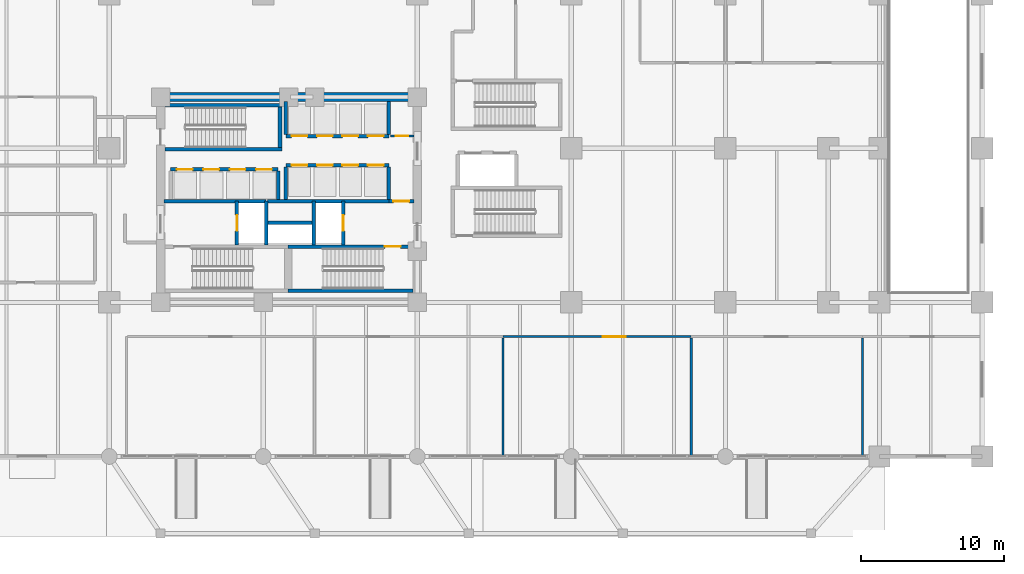
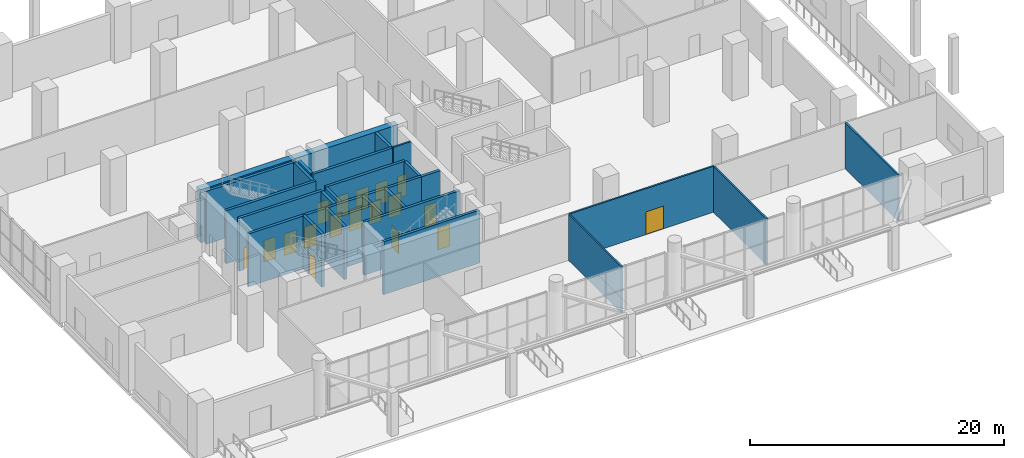
# One storey, part 14 of 22: 27 walls, 18 doors, 18 openings.
"""IFC4 building model written with IfcOpenShell, lengths in metres."""

from ifc_helpers import new_model, si_unit, direction, frame, frame_2d, origin, place, context, subcontext, project, spatial, rectangle, extrude, material, layer, layer_set, type_object, element, fill, save


model = new_model("IFC4")

# Units and contexts
model_context = context("Model", 3, precision=1e-05, world=origin(), true_north=direction((0.0, 1.0)))
body_context = subcontext(model_context, "Body", "Model", "MODEL_VIEW")
ifc_project = project(units=[si_unit("LENGTHUNIT", "METRE"), si_unit("AREAUNIT", "SQUARE_METRE"), si_unit("VOLUMEUNIT", "CUBIC_METRE"), si_unit("PLANEANGLEUNIT", "RADIAN"), si_unit("MASSUNIT", "GRAM", prefix="KILO")], contexts=[model_context])

# Site, building, storey
site_placement = place(None, origin())
site = spatial("IfcSite", under=ifc_project, at=site_placement, CompositionType="ELEMENT")
building_placement = place(site_placement, origin())
building = spatial("IfcBuilding", under=site, at=building_placement, Name="Solnavia Interchange Tower", CompositionType="ELEMENT")
storey_placement = place(building_placement, origin())
storey = spatial("IfcBuildingStorey", under=building, at=storey_placement, Name="L00", CompositionType="ELEMENT", Elevation=0.0)

# Wall, opening, door
ifc_material_1 = material(Name="Gypsum Plasterboard & Steel Stud", Category="steel")
ifc_layer_1 = layer(ifc_material_1, 0.14990234375)
ifc_layer_set_1 = layer_set([ifc_layer_1], Name="Gypsum Plasterboard & Steel Stud")
wall_type_1 = type_object("IfcWallType", Name="Wall-Partition-150", PredefinedType="PARTITIONING", material=ifc_layer_set_1)
wall_1_placement = place(storey_placement, frame((30.52001953125, 22.4599609375, 0.0), z_axis=(0.0, 0.0, 1.0), x_axis=(1.0, 0.0, 0.0)))
wall_1 = element("IfcWall", 1, at=wall_1_placement, inside=storey, type_object=wall_type_1, Name="CSW-L00-NE-S Core shaft wall", PredefinedType="PARTITIONING", context=body_context, shape_type="SweptSolid", body=[
    extrude(rectangle(XDim=1.6298828125, YDim=0.14990234375, at=frame_2d((0.81494140625, 0.0))), origin(), (0.0, 0.0, 1.0), 5.0849609375),
])
opening_1_placement = place(wall_1_placement, frame((0.3798828125, 0.0, 0.0)))
opening_1 = element("IfcOpeningElement", 2, at=opening_1_placement, cuts=wall_1, Name="Opening DR-10", PredefinedType="OPENING", context=body_context, shape_type="SweptSolid", body=[
    extrude(rectangle(XDim=0.85009765625, YDim=2.10009765625, at=frame_2d((0.425048828125, 1.050048828125))), frame((0.0, 0.0849609375, 0.0), z_axis=(0.0, -1.0, 0.0), x_axis=(1.0, 0.0, 0.0)), (0.0, 0.0, 1.0), 0.169921875),
])
ifc_material_2 = material(Name="Moisture-Resistant Timber Door", Category="wood")
door_type_1 = type_object("IfcDoorType", Name="Door-Bathroom-850x2100", OperationType="SINGLE_SWING_RIGHT", PredefinedType="DOOR", material=ifc_material_2)
door_1_placement = place(opening_1_placement, origin())
door_1 = element("IfcDoor", 3, at=door_1_placement, inside=storey, type_object=door_type_1, Name="DR-L00-CNE1 Core fire door", OperationType="SINGLE_SWING_RIGHT", OverallHeight=2.10009765625, OverallWidth=0.85009765625, PredefinedType="DOOR", context=body_context, shape_type="SweptSolid", body=[
    extrude(rectangle(XDim=0.85009765625, YDim=2.10009765625, at=frame_2d((0.425048828125, 1.050048828125))), frame((0.0, 0.02490234375, 0.0), z_axis=(0.0, -1.0, 0.0), x_axis=(1.0, 0.0, 0.0)), (0.0, 0.0, 1.0), 0.050048828125),
])
fill(opening_1, door_1)

# Wall
wall_2_placement = place(storey_placement, frame((38.39990234375, 0.0, 0.0), z_axis=(0.0, 0.0, 1.0), x_axis=(0.0, 1.0, 0.0)))
element("IfcWall", 4, at=wall_2_placement, inside=storey, type_object=wall_type_1, Name="PTW-L00-05 Interior partition wall", PredefinedType="PARTITIONING", context=body_context, shape_type="SweptSolid", body=[
    extrude(rectangle(XDim=8.321044921875, YDim=0.14990234375, at=frame_2d((4.16064453125, 0.0))), origin(), (0.0, 0.0, 1.0), 4.429931640625),
])

# Wall, opening, door
wall_3_placement = place(storey_placement, frame((38.39990234375, 8.39990234375, 0.0), z_axis=(0.0, 0.0, 1.0), x_axis=(1.0, 0.0, 0.0)))
wall_3 = element("IfcWall", 5, at=wall_3_placement, inside=storey, type_object=wall_type_1, Name="PTW-L00-06 Interior partition wall", PredefinedType="PARTITIONING", context=body_context, shape_type="SweptSolid", body=[
    extrude(rectangle(XDim=13.2001953125, YDim=0.14990234375, at=frame_2d((6.60009765625, 0.0))), origin(), (0.0, 0.0, 1.0), 4.429931640625),
])
opening_2_placement = place(wall_3_placement, frame((6.99609375, 0.0, 0.0)))
opening_2 = element("IfcOpeningElement", 6, at=opening_2_placement, cuts=wall_3, Name="Opening DR-08", PredefinedType="OPENING", context=body_context, shape_type="SweptSolid", body=[
    extrude(rectangle(XDim=1.60009765625, YDim=2.199951171875, at=frame_2d((0.800048828125, 1.10009765625))), frame((0.0, 0.0849609375, 0.0), z_axis=(0.0, -1.0, 0.0), x_axis=(1.0, 0.0, 0.0)), (0.0, 0.0, 1.0), 0.169921875),
])
ifc_material_3 = material(Name="Thermally Broken Aluminium & Toughened Glass", Category="aluminium")
door_type_2 = type_object("IfcDoorType", Name="Door-RetailDouble-1600x2200", OperationType="DOUBLE_DOOR_SINGLE_SWING", PredefinedType="DOOR", material=ifc_material_3)
door_2_placement = place(opening_2_placement, origin())
door_2 = element("IfcDoor", 7, at=door_2_placement, inside=storey, type_object=door_type_2, Name="DR-L00-03 Interior room door", OperationType="DOUBLE_DOOR_SINGLE_SWING", OverallHeight=2.199951171875, OverallWidth=1.60009765625, PredefinedType="DOOR", context=body_context, shape_type="SweptSolid", body=[
    extrude(rectangle(XDim=1.60009765625, YDim=2.199951171875, at=frame_2d((0.800048828125, 1.10009765625))), frame((0.0, 0.02490234375, 0.0), z_axis=(0.0, -1.0, 0.0), x_axis=(1.0, 0.0, 0.0)), (0.0, 0.0, 1.0), 0.050048828125),
])
fill(opening_2, door_2)

# Walls
for number, where, z_axis, x_axis, name in (
    (8, (51.60009765625, 0.0, 0.0), (0.0, 0.0, 1.0), (0.0, 1.0, 0.0), "PTW-L00-07 Interior partition wall"),
    (9, (63.60009765625, 0.0, 0.0), (0.0, 0.0, 1.0), (0.0, 1.0, 0.0), "PTW-L00-09 Interior partition wall"),
):
    element("IfcWall", number, at=place(storey_placement, frame(where, z_axis=z_axis, x_axis=x_axis)), inside=storey, type_object=wall_type_1, Name=name, PredefinedType="PARTITIONING", context=body_context, shape_type="SweptSolid", body=[
        extrude(rectangle(XDim=8.321044921875, YDim=0.14990234375, at=frame_2d((4.16064453125, 0.0))), origin(), (0.0, 0.0, 1.0), 4.429931640625),
    ])
ifc_material_4 = material(Name="Concrete C40/50", Category="concrete")
ifc_layer_2 = layer(ifc_material_4, 0.25)
ifc_layer_set_2 = layer_set([ifc_layer_2], Name="Concrete C40/50")
wall_type_2 = type_object("IfcWallType", Name="Wall-ShaftCore-250", PredefinedType="SHEAR", material=ifc_layer_set_2)
wall_4_placement = place(storey_placement, frame((23.35009765625, 11.625, 0.0), z_axis=(0.0, 0.0, 1.0), x_axis=(1.0, 0.0, 0.0)))
element("IfcWall", 10, at=wall_4_placement, inside=storey, type_object=wall_type_2, Name="SHW-L00-ST2S Core shear wall", PredefinedType="SHEAR", context=body_context, shape_type="SweptSolid", body=[
    extrude(rectangle(XDim=8.75, YDim=0.25, at=frame_2d((4.375, 0.0))), origin(), (0.0, 0.0, 1.0), 5.10009765625),
])

# Wall, opening, door
wall_5_placement = place(storey_placement, frame((23.35009765625, 14.715087890625, 0.0), z_axis=(0.0, 0.0, 1.0), x_axis=(1.0, 0.0, 0.0)))
wall_5 = element("IfcWall", 11, at=wall_5_placement, inside=storey, type_object=wall_type_2, Name="SHW-L00-ST2N Core shear wall", PredefinedType="SHEAR", context=body_context, shape_type="SweptSolid", body=[
    extrude(rectangle(XDim=8.75, YDim=0.25, at=frame_2d((4.375, 0.0))), origin(), (0.0, 0.0, 1.0), 5.10009765625),
])
opening_3_placement = place(wall_5_placement, frame((6.77490234375, 0.0, 0.0)))
opening_3 = element("IfcOpeningElement", 12, at=opening_3_placement, cuts=wall_5, Name="Opening DR-01", PredefinedType="OPENING", context=body_context, shape_type="SweptSolid", body=[
    extrude(rectangle(XDim=1.10009765625, YDim=2.10009765625, at=frame_2d((0.550048828125, 1.050048828125))), frame((0.0, 0.135009765625, 0.0), z_axis=(0.0, -1.0, 0.0), x_axis=(1.0, 0.0, 0.0)), (0.0, 0.0, 1.0), 0.27001953125),
])
ifc_material_5 = material(Name="Steel Fire-Rated Leaf & Frame", Category="steel")
door_type_3 = type_object("IfcDoorType", Name="Door-StairFire-1100x2100", OperationType="SINGLE_SWING_LEFT", PredefinedType="DOOR", material=ifc_material_5)
door_3_placement = place(opening_3_placement, origin())
door_3 = element("IfcDoor", 13, at=door_3_placement, inside=storey, type_object=door_type_3, Name="DR-L00-ST2 Core fire door", OperationType="SINGLE_SWING_LEFT", OverallHeight=2.10009765625, OverallWidth=1.10009765625, PredefinedType="DOOR", context=body_context, shape_type="SweptSolid", body=[
    extrude(rectangle(XDim=1.10009765625, YDim=2.10009765625, at=frame_2d((0.550048828125, 1.050048828125))), frame((0.0, 0.02490234375, 0.0), z_axis=(0.0, -1.0, 0.0), x_axis=(1.0, 0.0, 0.0)), (0.0, 0.0, 1.0), 0.050048828125),
])
fill(opening_3, door_3)

# Walls
for number, where, z_axis, x_axis, name in (
    (14, (14.699951171875, 21.52490234375, 0.0), (0.0, 0.0, 1.0), (1.0, 0.0, 0.0), "SHW-L00-ST3S Core shear wall"),
    (15, (14.699951171875, 24.614990234375, 0.0), (0.0, 0.0, 1.0), (1.0, 0.0, 0.0), "SHW-L00-ST3N Core shear wall"),
):
    element("IfcWall", number, at=place(storey_placement, frame(where, z_axis=z_axis, x_axis=x_axis)), inside=storey, type_object=wall_type_2, Name=name, PredefinedType="SHEAR", context=body_context, shape_type="SweptSolid", body=[
        extrude(rectangle(XDim=8.199951171875, YDim=0.25, at=frame_2d((4.10009765625, 0.0))), origin(), (0.0, 0.0, 1.0), 5.10009765625),
    ])
wall_6_placement = place(storey_placement, frame((22.77490234375, 21.64990234375, 0.0), z_axis=(0.0, 0.0, 1.0), x_axis=(0.0, 1.0, 0.0)))
element("IfcWall", 16, at=wall_6_placement, inside=storey, type_object=wall_type_2, Name="SHW-L00-ST3E Core shear wall", PredefinedType="SHEAR", context=body_context, shape_type="SweptSolid", body=[
    extrude(rectangle(XDim=2.840087890625, YDim=0.25, at=frame_2d((1.419921875, 0.0))), origin(), (0.0, 0.0, 1.0), 5.10009765625),
])
ifc_layer_3 = layer(ifc_material_4, 0.25)
ifc_layer_set_3 = layer_set([ifc_layer_3], Name="Concrete C40/50")
wall_type_3 = type_object("IfcWallType", Name="Wall-ShaftPart-250", PredefinedType="PARTITIONING", material=ifc_layer_set_3)
wall_7_placement = place(storey_placement, frame((14.64990234375, 17.89990234375, 0.0), z_axis=(0.0, 0.0, 1.0), x_axis=(1.0, 0.0, 0.0)))
element("IfcWall", 17, at=wall_7_placement, inside=storey, type_object=wall_type_3, Name="SHW-L00-FFLW-N Core shaft wall", PredefinedType="PARTITIONING", context=body_context, shape_type="SweptSolid", body=[
    extrude(rectangle(XDim=7.150146484375, YDim=0.25, at=frame_2d((3.5751953125, 0.0))), origin(), (0.0, 0.0, 1.0), 5.0849609375),
])

# Wall, opening, door
wall_8_placement = place(storey_placement, frame((19.75, 14.840087890625, 0.0), z_axis=(0.0, 0.0, 1.0), x_axis=(0.0, 1.0, 0.0)))
wall_8 = element("IfcWall", 18, at=wall_8_placement, inside=storey, type_object=wall_type_3, Name="SHW-L00-FFL1-W Core shaft wall", PredefinedType="PARTITIONING", context=body_context, shape_type="SweptSolid", body=[
    extrude(rectangle(XDim=3.059814453125, YDim=0.25, at=frame_2d((1.52978515625, 0.0))), origin(), (0.0, 0.0, 1.0), 5.0849609375),
])
opening_4_placement = place(wall_8_placement, frame((0.97998046875, 0.0, 0.0)))
opening_4 = element("IfcOpeningElement", 19, at=opening_4_placement, cuts=wall_8, Name="Opening LD-01", PredefinedType="OPENING", context=body_context, shape_type="SweptSolid", body=[
    extrude(rectangle(XDim=1.10009765625, YDim=2.10009765625, at=frame_2d((0.550048828125, 1.050048828125))), frame((0.0, 0.135009765625, 0.0), z_axis=(0.0, -1.0, 0.0), x_axis=(1.0, 0.0, 0.0)), (0.0, 0.0, 1.0), 0.27001953125),
])
ifc_material_6 = material(Name="Brushed Stainless Steel Sliding Door", Category="steel")
door_type_4 = type_object("IfcDoorType", Name="Door-LiftLanding-1100x2100", OperationType="SLIDING_TO_LEFT", PredefinedType="DOOR", material=ifc_material_6)
door_4_placement = place(opening_4_placement, origin())
door_4 = element("IfcDoor", 20, at=door_4_placement, inside=storey, type_object=door_type_4, Name="LD-L00-FFL1 Lift landing sliding door", OperationType="SLIDING_TO_LEFT", OverallHeight=2.10009765625, OverallWidth=1.10009765625, PredefinedType="DOOR", context=body_context, shape_type="SweptSolid", body=[
    extrude(rectangle(XDim=1.10009765625, YDim=2.10009765625, at=frame_2d((0.550048828125, 1.050048828125))), frame((0.0, 0.02490234375, 0.0), z_axis=(0.0, -1.0, 0.0), x_axis=(1.0, 0.0, 0.0)), (0.0, 0.0, 1.0), 0.050048828125),
])
fill(opening_4, door_4)

# Walls
wall_9_placement = place(storey_placement, frame((21.800048828125, 14.840087890625, 0.0), z_axis=(0.0, 0.0, 1.0), x_axis=(0.0, 1.0, 0.0)))
element("IfcWall", 21, at=wall_9_placement, inside=storey, type_object=wall_type_3, Name="SHW-L00-FFL1-E Core shaft wall", PredefinedType="PARTITIONING", context=body_context, shape_type="SweptSolid", body=[
    extrude(rectangle(XDim=3.059814453125, YDim=0.25, at=frame_2d((1.52978515625, 0.0))), origin(), (0.0, 0.0, 1.0), 5.0849609375),
])
wall_10_placement = place(storey_placement, frame((21.8798828125, 17.89990234375, 0.0), z_axis=(0.0, 0.0, 1.0), x_axis=(1.0, 0.0, 0.0)))
element("IfcWall", 22, at=wall_10_placement, inside=storey, type_object=wall_type_3, Name="SHW-L00-FFLE-N1 Core shaft wall", PredefinedType="PARTITIONING", context=body_context, shape_type="SweptSolid", body=[
    extrude(rectangle(XDim=8.52001953125, YDim=0.25, at=frame_2d((4.260009765625, 0.0))), origin(), (0.0, 0.0, 1.0), 5.0849609375),
])

# Wall, opening, door
wall_11_placement = place(storey_placement, frame((30.39990234375, 17.89990234375, 0.0), z_axis=(0.0, 0.0, 1.0), x_axis=(1.0, 0.0, 0.0)))
wall_11 = element("IfcWall", 23, at=wall_11_placement, inside=storey, type_object=wall_type_3, Name="SHW-L00-FFLE-N2 Core shaft wall", PredefinedType="PARTITIONING", context=body_context, shape_type="SweptSolid", body=[
    extrude(rectangle(XDim=1.75, YDim=0.25, at=frame_2d((0.875, 0.0))), origin(), (0.0, 0.0, 1.0), 5.0849609375),
])
opening_5_placement = place(wall_11_placement, frame((0.320068359375, 0.0, 0.0)))
opening_5 = element("IfcOpeningElement", 24, at=opening_5_placement, cuts=wall_11, Name="Opening DR-01", PredefinedType="OPENING", context=body_context, shape_type="SweptSolid", body=[
    extrude(rectangle(XDim=1.10009765625, YDim=2.10009765625, at=frame_2d((0.550048828125, 1.050048828125))), frame((0.0, 0.135009765625, 0.0), z_axis=(0.0, -1.0, 0.0), x_axis=(1.0, 0.0, 0.0)), (0.0, 0.0, 1.0), 0.27001953125),
])
door_5_placement = place(opening_5_placement, origin())
door_5 = element("IfcDoor", 25, at=door_5_placement, inside=storey, type_object=door_type_3, Name="DR-L00-LLC Core fire door", OperationType="SINGLE_SWING_LEFT", OverallHeight=2.10009765625, OverallWidth=1.10009765625, PredefinedType="DOOR", context=body_context, shape_type="SweptSolid", body=[
    extrude(rectangle(XDim=1.10009765625, YDim=2.10009765625, at=frame_2d((0.550048828125, 1.050048828125))), frame((0.0, 0.02490234375, 0.0), z_axis=(0.0, -1.0, 0.0), x_axis=(1.0, 0.0, 0.0)), (0.0, 0.0, 1.0), 0.050048828125),
])
fill(opening_5, door_5)

# Wall
wall_12_placement = place(storey_placement, frame((25.14990234375, 14.840087890625, 0.0), z_axis=(0.0, 0.0, 1.0), x_axis=(0.0, 1.0, 0.0)))
element("IfcWall", 26, at=wall_12_placement, inside=storey, type_object=wall_type_3, Name="SHW-L00-FFL2-W Core shaft wall", PredefinedType="PARTITIONING", context=body_context, shape_type="SweptSolid", body=[
    extrude(rectangle(XDim=3.059814453125, YDim=0.25, at=frame_2d((1.52978515625, 0.0))), origin(), (0.0, 0.0, 1.0), 5.0849609375),
])

# Wall, opening, door
wall_13_placement = place(storey_placement, frame((27.199951171875, 14.840087890625, 0.0), z_axis=(0.0, 0.0, 1.0), x_axis=(0.0, 1.0, 0.0)))
wall_13 = element("IfcWall", 27, at=wall_13_placement, inside=storey, type_object=wall_type_3, Name="SHW-L00-FFL2-E Core shaft wall", PredefinedType="PARTITIONING", context=body_context, shape_type="SweptSolid", body=[
    extrude(rectangle(XDim=3.059814453125, YDim=0.25, at=frame_2d((1.52978515625, 0.0))), origin(), (0.0, 0.0, 1.0), 5.0849609375),
])
opening_6_placement = place(wall_13_placement, frame((0.97998046875, 0.0, 0.0)))
opening_6 = element("IfcOpeningElement", 28, at=opening_6_placement, cuts=wall_13, Name="Opening LD-01", PredefinedType="OPENING", context=body_context, shape_type="SweptSolid", body=[
    extrude(rectangle(XDim=1.10009765625, YDim=2.10009765625, at=frame_2d((0.550048828125, 1.050048828125))), frame((0.0, 0.135009765625, 0.0), z_axis=(0.0, -1.0, 0.0), x_axis=(1.0, 0.0, 0.0)), (0.0, 0.0, 1.0), 0.27001953125),
])
door_6_placement = place(opening_6_placement, origin())
door_6 = element("IfcDoor", 29, at=door_6_placement, inside=storey, type_object=door_type_4, Name="LD-L00-FFL2 Lift landing sliding door", OperationType="SLIDING_TO_LEFT", OverallHeight=2.10009765625, OverallWidth=1.10009765625, PredefinedType="DOOR", context=body_context, shape_type="SweptSolid", body=[
    extrude(rectangle(XDim=1.10009765625, YDim=2.10009765625, at=frame_2d((0.550048828125, 1.050048828125))), frame((0.0, 0.02490234375, 0.0), z_axis=(0.0, -1.0, 0.0), x_axis=(1.0, 0.0, 0.0)), (0.0, 0.0, 1.0), 0.050048828125),
])
fill(opening_6, door_6)

# Wall
wall_14_placement = place(storey_placement, frame((21.800048828125, 16.39990234375, 0.0), z_axis=(0.0, 0.0, 1.0), x_axis=(1.0, 0.0, 0.0)))
element("IfcWall", 30, at=wall_14_placement, inside=storey, type_object=wall_type_3, Name="SHW-L00-MEP-N Core shaft wall", PredefinedType="PARTITIONING", context=body_context, shape_type="SweptSolid", body=[
    extrude(rectangle(XDim=3.349853515625, YDim=0.25, at=frame_2d((1.6748046875, 0.0))), origin(), (0.0, 0.0, 1.0), 5.0849609375),
])

# Wall, openings, doors
wall_15_placement = place(storey_placement, frame((15.10009765625, 20.125, 0.0), z_axis=(0.0, 0.0, 1.0), x_axis=(1.0, 0.0, 0.0)))
wall_15 = element("IfcWall", 31, at=wall_15_placement, inside=storey, type_object=wall_type_3, Name="SHW-L00-B1N Core shaft wall", PredefinedType="PARTITIONING", context=body_context, shape_type="SweptSolid", body=[
    extrude(rectangle(XDim=7.5498046875, YDim=0.25, at=frame_2d((3.77490234375, 0.0))), origin(), (0.0, 0.0, 1.0), 5.0849609375),
])
opening_7_placement = place(wall_15_placement, frame((0.449951171875, 0.0, 0.0)))
opening_7 = element("IfcOpeningElement", 32, at=opening_7_placement, cuts=wall_15, Name="Opening LD-01", PredefinedType="OPENING", context=body_context, shape_type="SweptSolid", body=[
    extrude(rectangle(XDim=1.10009765625, YDim=2.10009765625, at=frame_2d((0.550048828125, 1.050048828125))), frame((0.0, 0.135009765625, 0.0), z_axis=(0.0, -1.0, 0.0), x_axis=(1.0, 0.0, 0.0)), (0.0, 0.0, 1.0), 0.27001953125),
])
opening_8_placement = place(wall_15_placement, frame((2.300048828125, 0.0, 0.0)))
opening_8 = element("IfcOpeningElement", 33, at=opening_8_placement, cuts=wall_15, Name="Opening LD-01", PredefinedType="OPENING", context=body_context, shape_type="SweptSolid", body=[
    extrude(rectangle(XDim=1.10009765625, YDim=2.10009765625, at=frame_2d((0.550048828125, 1.050048828125))), frame((0.0, 0.135009765625, 0.0), z_axis=(0.0, -1.0, 0.0), x_axis=(1.0, 0.0, 0.0)), (0.0, 0.0, 1.0), 0.27001953125),
])
opening_9_placement = place(wall_15_placement, frame((4.14990234375, 0.0, 0.0)))
opening_9 = element("IfcOpeningElement", 34, at=opening_9_placement, cuts=wall_15, Name="Opening LD-01", PredefinedType="OPENING", context=body_context, shape_type="SweptSolid", body=[
    extrude(rectangle(XDim=1.10009765625, YDim=2.10009765625, at=frame_2d((0.550048828125, 1.050048828125))), frame((0.0, 0.135009765625, 0.0), z_axis=(0.0, -1.0, 0.0), x_axis=(1.0, 0.0, 0.0)), (0.0, 0.0, 1.0), 0.27001953125),
])
opening_10_placement = place(wall_15_placement, frame((6.0, 0.0, 0.0)))
opening_10 = element("IfcOpeningElement", 35, at=opening_10_placement, cuts=wall_15, Name="Opening LD-01", PredefinedType="OPENING", context=body_context, shape_type="SweptSolid", body=[
    extrude(rectangle(XDim=1.10009765625, YDim=2.10009765625, at=frame_2d((0.550048828125, 1.050048828125))), frame((0.0, 0.135009765625, 0.0), z_axis=(0.0, -1.0, 0.0), x_axis=(1.0, 0.0, 0.0)), (0.0, 0.0, 1.0), 0.27001953125),
])
door_7_placement = place(opening_7_placement, origin())
door_7 = element("IfcDoor", 36, at=door_7_placement, inside=storey, type_object=door_type_4, Name="LD-L00-B1-1 Lift landing sliding door", OperationType="SLIDING_TO_LEFT", OverallHeight=2.10009765625, OverallWidth=1.10009765625, PredefinedType="DOOR", context=body_context, shape_type="SweptSolid", body=[
    extrude(rectangle(XDim=1.10009765625, YDim=2.10009765625, at=frame_2d((0.550048828125, 1.050048828125))), frame((0.0, 0.02490234375, 0.0), z_axis=(0.0, -1.0, 0.0), x_axis=(1.0, 0.0, 0.0)), (0.0, 0.0, 1.0), 0.050048828125),
])
fill(opening_7, door_7)
door_8_placement = place(opening_8_placement, origin())
door_8 = element("IfcDoor", 37, at=door_8_placement, inside=storey, type_object=door_type_4, Name="LD-L00-B1-2 Lift landing sliding door", OperationType="SLIDING_TO_LEFT", OverallHeight=2.10009765625, OverallWidth=1.10009765625, PredefinedType="DOOR", context=body_context, shape_type="SweptSolid", body=[
    extrude(rectangle(XDim=1.10009765625, YDim=2.10009765625, at=frame_2d((0.550048828125, 1.050048828125))), frame((0.0, 0.02490234375, 0.0), z_axis=(0.0, -1.0, 0.0), x_axis=(1.0, 0.0, 0.0)), (0.0, 0.0, 1.0), 0.050048828125),
])
fill(opening_8, door_8)
door_9_placement = place(opening_9_placement, origin())
door_9 = element("IfcDoor", 38, at=door_9_placement, inside=storey, type_object=door_type_4, Name="LD-L00-B1-3 Lift landing sliding door", OperationType="SLIDING_TO_LEFT", OverallHeight=2.10009765625, OverallWidth=1.10009765625, PredefinedType="DOOR", context=body_context, shape_type="SweptSolid", body=[
    extrude(rectangle(XDim=1.10009765625, YDim=2.10009765625, at=frame_2d((0.550048828125, 1.050048828125))), frame((0.0, 0.02490234375, 0.0), z_axis=(0.0, -1.0, 0.0), x_axis=(1.0, 0.0, 0.0)), (0.0, 0.0, 1.0), 0.050048828125),
])
fill(opening_9, door_9)
door_10_placement = place(opening_10_placement, origin())
door_10 = element("IfcDoor", 39, at=door_10_placement, inside=storey, type_object=door_type_4, Name="LD-L00-B1-4 Lift landing sliding door", OperationType="SLIDING_TO_LEFT", OverallHeight=2.10009765625, OverallWidth=1.10009765625, PredefinedType="DOOR", context=body_context, shape_type="SweptSolid", body=[
    extrude(rectangle(XDim=1.10009765625, YDim=2.10009765625, at=frame_2d((0.550048828125, 1.050048828125))), frame((0.0, 0.02490234375, 0.0), z_axis=(0.0, -1.0, 0.0), x_axis=(1.0, 0.0, 0.0)), (0.0, 0.0, 1.0), 0.050048828125),
])
fill(opening_10, door_10)

# Wall
wall_16_placement = place(storey_placement, frame((22.64990234375, 18.02490234375, 0.0), z_axis=(0.0, 0.0, 1.0), x_axis=(0.0, 1.0, 0.0)))
element("IfcWall", 40, at=wall_16_placement, inside=storey, type_object=wall_type_3, Name="SHW-L00-B1E Core shaft wall", PredefinedType="PARTITIONING", context=body_context, shape_type="SweptSolid", body=[
    extrude(rectangle(XDim=1.97509765625, YDim=0.25, at=frame_2d((0.987548828125, 0.0))), origin(), (0.0, 0.0, 1.0), 5.0849609375),
])

# Wall, openings, doors
wall_17_placement = place(storey_placement, frame((23.179931640625, 20.419921875, 0.0), z_axis=(0.0, 0.0, 1.0), x_axis=(1.0, 0.0, 0.0)))
wall_17 = element("IfcWall", 41, at=wall_17_placement, inside=storey, type_object=wall_type_3, Name="SHW-L00-B2N Core shaft wall", PredefinedType="PARTITIONING", context=body_context, shape_type="SweptSolid", body=[
    extrude(rectangle(XDim=7.219970703125, YDim=0.25, at=frame_2d((3.60986328125, 0.0))), origin(), (0.0, 0.0, 1.0), 5.0849609375),
])
opening_11_placement = place(wall_17_placement, frame((0.409912109375, 0.0, 0.0)))
opening_11 = element("IfcOpeningElement", 42, at=opening_11_placement, cuts=wall_17, Name="Opening LD-01", PredefinedType="OPENING", context=body_context, shape_type="SweptSolid", body=[
    extrude(rectangle(XDim=1.10009765625, YDim=2.10009765625, at=frame_2d((0.550048828125, 1.050048828125))), frame((0.0, 0.135009765625, 0.0), z_axis=(0.0, -1.0, 0.0), x_axis=(1.0, 0.0, 0.0)), (0.0, 0.0, 1.0), 0.27001953125),
])
opening_12_placement = place(wall_17_placement, frame((2.18994140625, 0.0, 0.0)))
opening_12 = element("IfcOpeningElement", 43, at=opening_12_placement, cuts=wall_17, Name="Opening LD-01", PredefinedType="OPENING", context=body_context, shape_type="SweptSolid", body=[
    extrude(rectangle(XDim=1.10009765625, YDim=2.10009765625, at=frame_2d((0.550048828125, 1.050048828125))), frame((0.0, 0.135009765625, 0.0), z_axis=(0.0, -1.0, 0.0), x_axis=(1.0, 0.0, 0.0)), (0.0, 0.0, 1.0), 0.27001953125),
])
opening_13_placement = place(wall_17_placement, frame((3.969970703125, 0.0, 0.0)))
opening_13 = element("IfcOpeningElement", 44, at=opening_13_placement, cuts=wall_17, Name="Opening LD-01", PredefinedType="OPENING", context=body_context, shape_type="SweptSolid", body=[
    extrude(rectangle(XDim=1.10009765625, YDim=2.10009765625, at=frame_2d((0.550048828125, 1.050048828125))), frame((0.0, 0.135009765625, 0.0), z_axis=(0.0, -1.0, 0.0), x_axis=(1.0, 0.0, 0.0)), (0.0, 0.0, 1.0), 0.27001953125),
])
opening_14_placement = place(wall_17_placement, frame((5.75, 0.0, 0.0)))
opening_14 = element("IfcOpeningElement", 45, at=opening_14_placement, cuts=wall_17, Name="Opening LD-01", PredefinedType="OPENING", context=body_context, shape_type="SweptSolid", body=[
    extrude(rectangle(XDim=1.10009765625, YDim=2.10009765625, at=frame_2d((0.550048828125, 1.050048828125))), frame((0.0, 0.135009765625, 0.0), z_axis=(0.0, -1.0, 0.0), x_axis=(1.0, 0.0, 0.0)), (0.0, 0.0, 1.0), 0.27001953125),
])
door_11_placement = place(opening_11_placement, origin())
door_11 = element("IfcDoor", 46, at=door_11_placement, inside=storey, type_object=door_type_4, Name="LD-L00-B2-1 Lift landing sliding door", OperationType="SLIDING_TO_LEFT", OverallHeight=2.10009765625, OverallWidth=1.10009765625, PredefinedType="DOOR", context=body_context, shape_type="SweptSolid", body=[
    extrude(rectangle(XDim=1.10009765625, YDim=2.10009765625, at=frame_2d((0.550048828125, 1.050048828125))), frame((0.0, 0.02490234375, 0.0), z_axis=(0.0, -1.0, 0.0), x_axis=(1.0, 0.0, 0.0)), (0.0, 0.0, 1.0), 0.050048828125),
])
fill(opening_11, door_11)
door_12_placement = place(opening_12_placement, origin())
door_12 = element("IfcDoor", 47, at=door_12_placement, inside=storey, type_object=door_type_4, Name="LD-L00-B2-2 Lift landing sliding door", OperationType="SLIDING_TO_LEFT", OverallHeight=2.10009765625, OverallWidth=1.10009765625, PredefinedType="DOOR", context=body_context, shape_type="SweptSolid", body=[
    extrude(rectangle(XDim=1.10009765625, YDim=2.10009765625, at=frame_2d((0.550048828125, 1.050048828125))), frame((0.0, 0.02490234375, 0.0), z_axis=(0.0, -1.0, 0.0), x_axis=(1.0, 0.0, 0.0)), (0.0, 0.0, 1.0), 0.050048828125),
])
fill(opening_12, door_12)
door_13_placement = place(opening_13_placement, origin())
door_13 = element("IfcDoor", 48, at=door_13_placement, inside=storey, type_object=door_type_4, Name="LD-L00-B2-3 Lift landing sliding door", OperationType="SLIDING_TO_LEFT", OverallHeight=2.10009765625, OverallWidth=1.10009765625, PredefinedType="DOOR", context=body_context, shape_type="SweptSolid", body=[
    extrude(rectangle(XDim=1.10009765625, YDim=2.10009765625, at=frame_2d((0.550048828125, 1.050048828125))), frame((0.0, 0.02490234375, 0.0), z_axis=(0.0, -1.0, 0.0), x_axis=(1.0, 0.0, 0.0)), (0.0, 0.0, 1.0), 0.050048828125),
])
fill(opening_13, door_13)
door_14_placement = place(opening_14_placement, origin())
door_14 = element("IfcDoor", 49, at=door_14_placement, inside=storey, type_object=door_type_4, Name="LD-L00-B2-4 Lift landing sliding door", OperationType="SLIDING_TO_LEFT", OverallHeight=2.10009765625, OverallWidth=1.10009765625, PredefinedType="DOOR", context=body_context, shape_type="SweptSolid", body=[
    extrude(rectangle(XDim=1.10009765625, YDim=2.10009765625, at=frame_2d((0.550048828125, 1.050048828125))), frame((0.0, 0.02490234375, 0.0), z_axis=(0.0, -1.0, 0.0), x_axis=(1.0, 0.0, 0.0)), (0.0, 0.0, 1.0), 0.050048828125),
])
fill(opening_14, door_14)

# Walls
for number, where, z_axis, x_axis, name in (
    (50, (23.179931640625, 18.02490234375, 0.0), (0.0, 0.0, 1.0), (0.0, 1.0, 0.0), "SHW-L00-B2W Core shaft wall"),
    (51, (30.39990234375, 18.02490234375, 0.0), (0.0, 0.0, 1.0), (0.0, 1.0, 0.0), "SHW-L00-B2E Core shaft wall"),
):
    element("IfcWall", number, at=place(storey_placement, frame(where, z_axis=z_axis, x_axis=x_axis)), inside=storey, type_object=wall_type_3, Name=name, PredefinedType="PARTITIONING", context=body_context, shape_type="SweptSolid", body=[
        extrude(rectangle(XDim=2.27001953125, YDim=0.25, at=frame_2d((1.135009765625, 0.0))), origin(), (0.0, 0.0, 1.0), 5.0849609375),
    ])

# Wall, openings, doors
wall_18_placement = place(storey_placement, frame((23.179931640625, 22.4599609375, 0.0), z_axis=(0.0, 0.0, 1.0), x_axis=(1.0, 0.0, 0.0)))
wall_18 = element("IfcWall", 52, at=wall_18_placement, inside=storey, type_object=wall_type_3, Name="SHW-L00-B3S Core shaft wall", PredefinedType="PARTITIONING", context=body_context, shape_type="SweptSolid", body=[
    extrude(rectangle(XDim=7.219970703125, YDim=0.25, at=frame_2d((3.60986328125, 0.0))), origin(), (0.0, 0.0, 1.0), 5.0849609375),
])
opening_15_placement = place(wall_18_placement, frame((0.409912109375, 0.0, 0.0)))
opening_15 = element("IfcOpeningElement", 53, at=opening_15_placement, cuts=wall_18, Name="Opening LD-01", PredefinedType="OPENING", context=body_context, shape_type="SweptSolid", body=[
    extrude(rectangle(XDim=1.10009765625, YDim=2.10009765625, at=frame_2d((0.550048828125, 1.050048828125))), frame((0.0, 0.135009765625, 0.0), z_axis=(0.0, -1.0, 0.0), x_axis=(1.0, 0.0, 0.0)), (0.0, 0.0, 1.0), 0.27001953125),
])
opening_16_placement = place(wall_18_placement, frame((2.18994140625, 0.0, 0.0)))
opening_16 = element("IfcOpeningElement", 54, at=opening_16_placement, cuts=wall_18, Name="Opening LD-01", PredefinedType="OPENING", context=body_context, shape_type="SweptSolid", body=[
    extrude(rectangle(XDim=1.10009765625, YDim=2.10009765625, at=frame_2d((0.550048828125, 1.050048828125))), frame((0.0, 0.135009765625, 0.0), z_axis=(0.0, -1.0, 0.0), x_axis=(1.0, 0.0, 0.0)), (0.0, 0.0, 1.0), 0.27001953125),
])
opening_17_placement = place(wall_18_placement, frame((3.969970703125, 0.0, 0.0)))
opening_17 = element("IfcOpeningElement", 55, at=opening_17_placement, cuts=wall_18, Name="Opening LD-01", PredefinedType="OPENING", context=body_context, shape_type="SweptSolid", body=[
    extrude(rectangle(XDim=1.10009765625, YDim=2.10009765625, at=frame_2d((0.550048828125, 1.050048828125))), frame((0.0, 0.135009765625, 0.0), z_axis=(0.0, -1.0, 0.0), x_axis=(1.0, 0.0, 0.0)), (0.0, 0.0, 1.0), 0.27001953125),
])
opening_18_placement = place(wall_18_placement, frame((5.75, 0.0, 0.0)))
opening_18 = element("IfcOpeningElement", 56, at=opening_18_placement, cuts=wall_18, Name="Opening LD-01", PredefinedType="OPENING", context=body_context, shape_type="SweptSolid", body=[
    extrude(rectangle(XDim=1.10009765625, YDim=2.10009765625, at=frame_2d((0.550048828125, 1.050048828125))), frame((0.0, 0.135009765625, 0.0), z_axis=(0.0, -1.0, 0.0), x_axis=(1.0, 0.0, 0.0)), (0.0, 0.0, 1.0), 0.27001953125),
])
door_15_placement = place(opening_15_placement, origin())
door_15 = element("IfcDoor", 57, at=door_15_placement, inside=storey, type_object=door_type_4, Name="LD-L00-B3-1 Lift landing sliding door", OperationType="SLIDING_TO_LEFT", OverallHeight=2.10009765625, OverallWidth=1.10009765625, PredefinedType="DOOR", context=body_context, shape_type="SweptSolid", body=[
    extrude(rectangle(XDim=1.10009765625, YDim=2.10009765625, at=frame_2d((0.550048828125, 1.050048828125))), frame((0.0, 0.02490234375, 0.0), z_axis=(0.0, -1.0, 0.0), x_axis=(1.0, 0.0, 0.0)), (0.0, 0.0, 1.0), 0.050048828125),
])
fill(opening_15, door_15)
door_16_placement = place(opening_16_placement, origin())
door_16 = element("IfcDoor", 58, at=door_16_placement, inside=storey, type_object=door_type_4, Name="LD-L00-B3-2 Lift landing sliding door", OperationType="SLIDING_TO_LEFT", OverallHeight=2.10009765625, OverallWidth=1.10009765625, PredefinedType="DOOR", context=body_context, shape_type="SweptSolid", body=[
    extrude(rectangle(XDim=1.10009765625, YDim=2.10009765625, at=frame_2d((0.550048828125, 1.050048828125))), frame((0.0, 0.02490234375, 0.0), z_axis=(0.0, -1.0, 0.0), x_axis=(1.0, 0.0, 0.0)), (0.0, 0.0, 1.0), 0.050048828125),
])
fill(opening_16, door_16)
door_17_placement = place(opening_17_placement, origin())
door_17 = element("IfcDoor", 59, at=door_17_placement, inside=storey, type_object=door_type_4, Name="LD-L00-B3-3 Lift landing sliding door", OperationType="SLIDING_TO_LEFT", OverallHeight=2.10009765625, OverallWidth=1.10009765625, PredefinedType="DOOR", context=body_context, shape_type="SweptSolid", body=[
    extrude(rectangle(XDim=1.10009765625, YDim=2.10009765625, at=frame_2d((0.550048828125, 1.050048828125))), frame((0.0, 0.02490234375, 0.0), z_axis=(0.0, -1.0, 0.0), x_axis=(1.0, 0.0, 0.0)), (0.0, 0.0, 1.0), 0.050048828125),
])
fill(opening_17, door_17)
door_18_placement = place(opening_18_placement, origin())
door_18 = element("IfcDoor", 60, at=door_18_placement, inside=storey, type_object=door_type_4, Name="LD-L00-B3-4 Lift landing sliding door", OperationType="SLIDING_TO_LEFT", OverallHeight=2.10009765625, OverallWidth=1.10009765625, PredefinedType="DOOR", context=body_context, shape_type="SweptSolid", body=[
    extrude(rectangle(XDim=1.10009765625, YDim=2.10009765625, at=frame_2d((0.550048828125, 1.050048828125))), frame((0.0, 0.02490234375, 0.0), z_axis=(0.0, -1.0, 0.0), x_axis=(1.0, 0.0, 0.0)), (0.0, 0.0, 1.0), 0.050048828125),
])
fill(opening_18, door_18)

# Walls
for number, where, z_axis, x_axis, name in (
    (61, (23.179931640625, 22.5849609375, 0.0), (0.0, 0.0, 1.0), (0.0, 1.0, 0.0), "SHW-L00-B3W Core shaft wall"),
    (62, (30.39990234375, 22.5849609375, 0.0), (0.0, 0.0, 1.0), (0.0, 1.0, 0.0), "SHW-L00-B3E Core shaft wall"),
):
    element("IfcWall", number, at=place(storey_placement, frame(where, z_axis=z_axis, x_axis=x_axis)), inside=storey, type_object=wall_type_3, Name=name, PredefinedType="PARTITIONING", context=body_context, shape_type="SweptSolid", body=[
        extrude(rectangle(XDim=2.31494140625, YDim=0.25, at=frame_2d((1.157470703125, 0.0))), origin(), (0.0, 0.0, 1.0), 5.0849609375),
    ])
ifc_material_7 = material(Name="Concrete C60/75", Category="concrete")
ifc_layer_4 = layer(ifc_material_7, 0.60009765625)
ifc_layer_set_4 = layer_set([ifc_layer_4], Name="Concrete C60/75")
wall_type_4 = type_object("IfcWallType", Name="Wall-ShearCore-600", PredefinedType="SHEAR", material=ifc_layer_set_4)
wall_19_placement = place(storey_placement, frame((14.39990234375, 25.199951171875, 0.0), z_axis=(0.0, 0.0, 1.0), x_axis=(1.0, 0.0, 0.0)))
element("IfcWall", 63, at=wall_19_placement, inside=storey, type_object=wall_type_4, Name="CRW-L00-N Core shear wall", PredefinedType="SHEAR", context=body_context, shape_type="SweptSolid", body=[
    extrude(rectangle(XDim=18.0, YDim=0.60009765625, at=frame_2d((9.0, 0.0))), origin(), (0.0, 0.0, 1.0), 5.10009765625),
])

save(model, "model.ifc")
